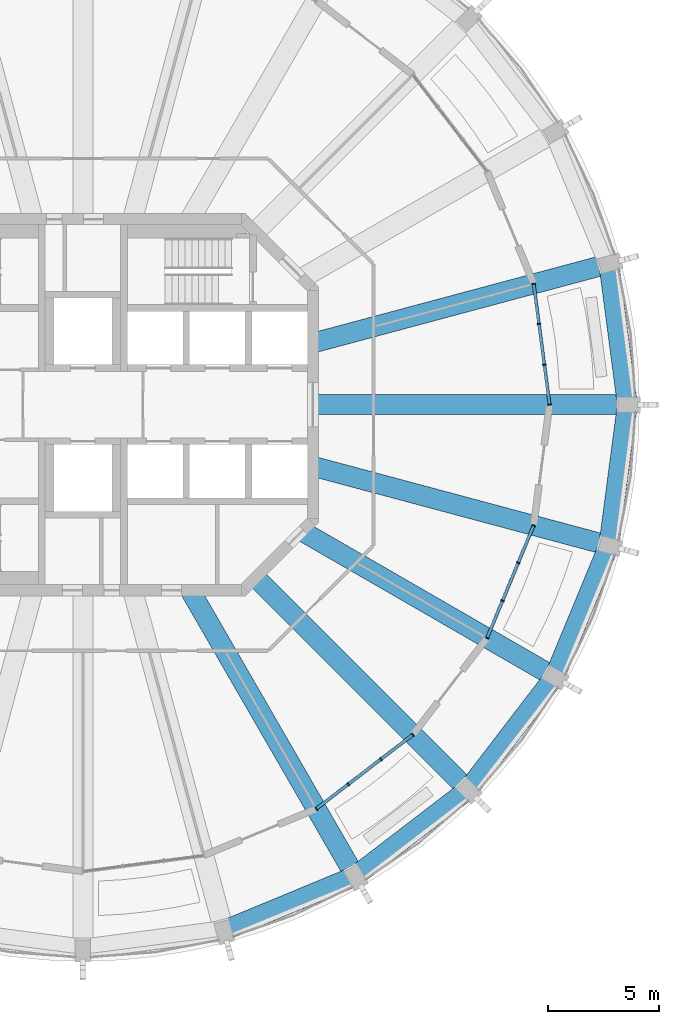
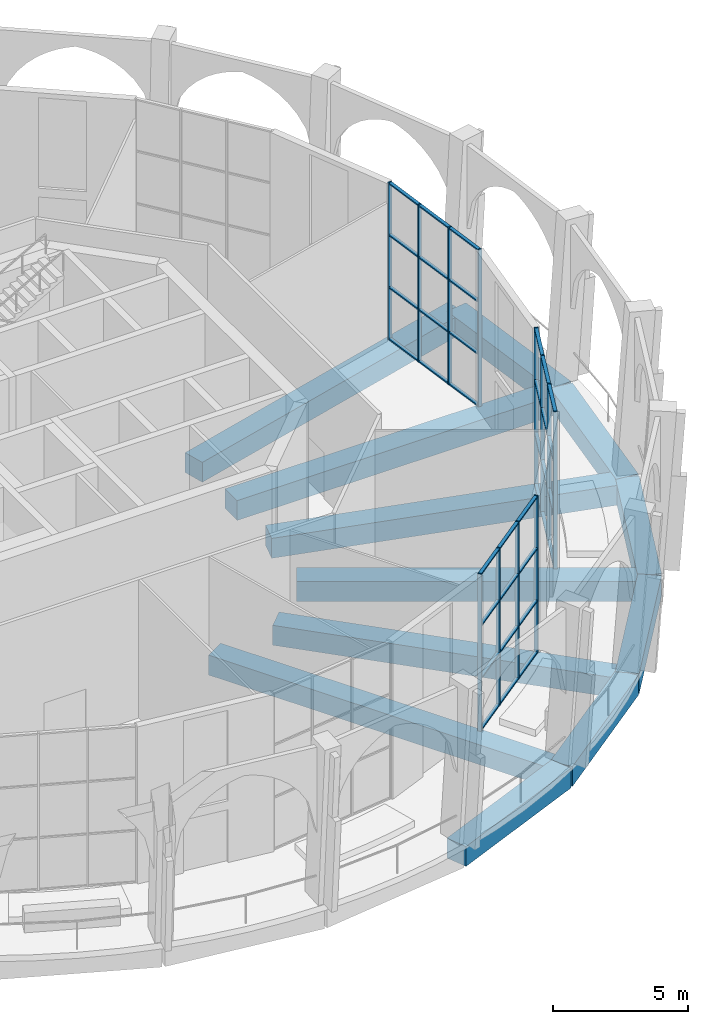
# One storey, part 4 of 17: 48 members, 12 beams, 3 elements without a shape of their own.
"""IFC4 building model written with IfcOpenShell, lengths in metres."""

from ifc_helpers import new_model, si_unit, direction, frame, origin, origin_2d, place, context, subcontext, project, spatial, rectangle, extrude, material, material_profile, profile_set, type_object, element, aggregate, save


model = new_model("IFC4")

# Units and contexts
model_context = context("Model", 3, precision=1e-05, world=origin(), true_north=direction((0.0, 1.0)))
body_context = subcontext(model_context, "Body", "Model", "MODEL_VIEW")
ifc_project = project(units=[si_unit("LENGTHUNIT", "METRE"), si_unit("AREAUNIT", "SQUARE_METRE"), si_unit("VOLUMEUNIT", "CUBIC_METRE"), si_unit("PLANEANGLEUNIT", "RADIAN"), si_unit("MASSUNIT", "GRAM", prefix="KILO")], contexts=[model_context])

# Site, building, storey
site_placement = place(None, origin())
site = spatial("IfcSite", under=ifc_project, at=site_placement, CompositionType="ELEMENT")
building_placement = place(site_placement, origin())
building = spatial("IfcBuilding", under=site, at=building_placement, Name="Torre Triforio", CompositionType="ELEMENT")
storey_placement = place(building_placement, frame((0.0, 0.0, 276.0)))
storey = spatial("IfcBuildingStorey", under=building, at=storey_placement, Name="L64", CompositionType="ELEMENT", Elevation=276.0)

# Curtain wall, members
ifc_material_1 = material(Name="Aluminium mullion and transom frame with clear laminated glass", Category="aluminium")
curtain_wall_type = type_object("IfcCurtainWallType", Name="Sky garden conservatory wall ECW3", PredefinedType="NOTDEFINED", material=ifc_material_1)
curtain_wall_1_placement = place(storey_placement, origin())
curtain_wall_1 = element("IfcCurtainWall", 1, at=curtain_wall_1_placement, inside=storey, type_object=curtain_wall_type, Name="Conservatory wall L64 bay 01", PredefinedType="NOTDEFINED")
ifc_material_2 = material(Name="Anodised aluminium extrusion", Category="aluminium")
ifc_material_profile_1 = material_profile(ifc_material_2, rectangle(XDim=0.159912109375, YDim=0.06005859375, at=origin_2d()), Name="ECW3 MULLION 60x160")
ifc_profile_set_1 = profile_set([ifc_material_profile_1], Name="Anodised aluminium extrusion")
member_type_1 = type_object("IfcMemberType", Name="ECW3 mullion 60 x 160", PredefinedType="MULLION", material=ifc_profile_set_1)
member_1_placement = place(storey_placement, frame((21.0, 0.0, 0.0), z_axis=(0.0, 0.0, 1.0), x_axis=(-0.991444343291, -0.130530127386, 0.0)))
member_1 = element("IfcMember", 2, at=member_1_placement, type_object=member_type_1, Name="ECW3 mullion 1", PredefinedType="MULLION", context=body_context, shape_type="SweptSolid", body=[
    extrude(rectangle(XDim=0.159912109375, YDim=0.06005859375, at=origin_2d()), origin(), (0.0, 0.0, 1.0), 7.1201171875),
])
member_2_placement = place(storey_placement, frame((20.7626953125, 1.8017578125, 0.0), z_axis=(0.0, 0.0, 1.0), x_axis=(-0.991444343291, -0.130530127386, 0.0)))
member_2 = element("IfcMember", 3, at=member_2_placement, type_object=member_type_1, Name="ECW3 mullion 2", PredefinedType="MULLION", context=body_context, shape_type="SweptSolid", body=[
    extrude(rectangle(XDim=0.159912109375, YDim=0.06005859375, at=origin_2d()), origin(), (0.0, 0.0, 1.0), 7.1201171875),
])
member_3_placement = place(storey_placement, frame((20.521728515625, 3.63330078125, 0.0), z_axis=(0.0, 0.0, 1.0), x_axis=(-0.991444343291, -0.130530127386, 0.0)))
member_3 = element("IfcMember", 4, at=member_3_placement, type_object=member_type_1, Name="ECW3 mullion 3", PredefinedType="MULLION", context=body_context, shape_type="SweptSolid", body=[
    extrude(rectangle(XDim=0.159912109375, YDim=0.06005859375, at=origin_2d()), origin(), (0.0, 0.0, 1.0), 7.1201171875),
])
member_4_placement = place(storey_placement, frame((20.284423828125, 5.43505859375, 0.0), z_axis=(0.0, 0.0, 1.0), x_axis=(-0.991444343291, -0.130530127386, 0.0)))
member_4 = element("IfcMember", 5, at=member_4_placement, type_object=member_type_1, Name="ECW3 mullion 4", PredefinedType="MULLION", context=body_context, shape_type="SweptSolid", body=[
    extrude(rectangle(XDim=0.159912109375, YDim=0.06005859375, at=origin_2d()), origin(), (0.0, 0.0, 1.0), 7.1201171875),
])

curtain_wall_2_placement = place(storey_placement, origin())
curtain_wall_2 = element("IfcCurtainWall", 6, at=curtain_wall_2_placement, inside=storey, type_object=curtain_wall_type, Name="Conservatory wall L64 bay 21", PredefinedType="NOTDEFINED")
member_5_placement = place(storey_placement, frame((10.5, -18.1865234375, 0.0), z_axis=(0.0, 0.0, 1.0), x_axis=(-0.608763325538, 0.793351885029, 0.0)))
member_5 = element("IfcMember", 7, at=member_5_placement, type_object=member_type_1, Name="ECW3 mullion 1", PredefinedType="MULLION", context=body_context, shape_type="SweptSolid", body=[
    extrude(rectangle(XDim=0.159912109375, YDim=0.06005859375, at=origin_2d()), origin(), (0.0, 0.0, 1.0), 7.1201171875),
])
member_6_placement = place(storey_placement, frame((11.94189453125, -17.080078125, 0.0), z_axis=(0.0, 0.0, 1.0), x_axis=(-0.608763325538, 0.793351885029, 0.0)))
member_6 = element("IfcMember", 8, at=member_6_placement, type_object=member_type_1, Name="ECW3 mullion 2", PredefinedType="MULLION", context=body_context, shape_type="SweptSolid", body=[
    extrude(rectangle(XDim=0.159912109375, YDim=0.06005859375, at=origin_2d()), origin(), (0.0, 0.0, 1.0), 7.1201171875),
])
member_7_placement = place(storey_placement, frame((13.407470703125, -15.95556640625, 0.0), z_axis=(0.0, 0.0, 1.0), x_axis=(-0.608763325538, 0.793351885029, 0.0)))
member_7 = element("IfcMember", 9, at=member_7_placement, type_object=member_type_1, Name="ECW3 mullion 3", PredefinedType="MULLION", context=body_context, shape_type="SweptSolid", body=[
    extrude(rectangle(XDim=0.159912109375, YDim=0.06005859375, at=origin_2d()), origin(), (0.0, 0.0, 1.0), 7.1201171875),
])
member_8_placement = place(storey_placement, frame((14.84912109375, -14.849365234375, 0.0), z_axis=(0.0, 0.0, 1.0), x_axis=(-0.608763325538, 0.793351885029, 0.0)))
member_8 = element("IfcMember", 10, at=member_8_placement, type_object=member_type_1, Name="ECW3 mullion 4", PredefinedType="MULLION", context=body_context, shape_type="SweptSolid", body=[
    extrude(rectangle(XDim=0.159912109375, YDim=0.06005859375, at=origin_2d()), origin(), (0.0, 0.0, 1.0), 7.1201171875),
])

curtain_wall_3_placement = place(storey_placement, origin())
curtain_wall_3 = element("IfcCurtainWall", 11, at=curtain_wall_3_placement, inside=storey, type_object=curtain_wall_type, Name="Conservatory wall L64 bay 23", PredefinedType="NOTDEFINED")
member_9_placement = place(storey_placement, frame((18.1865234375, -10.5, 0.0), z_axis=(0.0, 0.0, 1.0), x_axis=(-0.923883122974, 0.382674764107, 0.0)))
member_9 = element("IfcMember", 12, at=member_9_placement, type_object=member_type_1, Name="ECW3 mullion 1", PredefinedType="MULLION", context=body_context, shape_type="SweptSolid", body=[
    extrude(rectangle(XDim=0.159912109375, YDim=0.06005859375, at=origin_2d()), origin(), (0.0, 0.0, 1.0), 7.1201171875),
])
member_10_placement = place(storey_placement, frame((18.882080078125, -8.821044921875, 0.0), z_axis=(0.0, 0.0, 1.0), x_axis=(-0.923883122974, 0.382674764107, 0.0)))
member_10 = element("IfcMember", 13, at=member_10_placement, type_object=member_type_1, Name="ECW3 mullion 2", PredefinedType="MULLION", context=body_context, shape_type="SweptSolid", body=[
    extrude(rectangle(XDim=0.159912109375, YDim=0.06005859375, at=origin_2d()), origin(), (0.0, 0.0, 1.0), 7.1201171875),
])
member_11_placement = place(storey_placement, frame((19.5888671875, -7.1142578125, 0.0), z_axis=(0.0, 0.0, 1.0), x_axis=(-0.923883122974, 0.382674764107, 0.0)))
member_11 = element("IfcMember", 14, at=member_11_placement, type_object=member_type_1, Name="ECW3 mullion 3", PredefinedType="MULLION", context=body_context, shape_type="SweptSolid", body=[
    extrude(rectangle(XDim=0.159912109375, YDim=0.06005859375, at=origin_2d()), origin(), (0.0, 0.0, 1.0), 7.1201171875),
])
member_12_placement = place(storey_placement, frame((20.284423828125, -5.435302734375, 0.0), z_axis=(0.0, 0.0, 1.0), x_axis=(-0.923883122974, 0.382674764107, 0.0)))
member_12 = element("IfcMember", 15, at=member_12_placement, type_object=member_type_1, Name="ECW3 mullion 4", PredefinedType="MULLION", context=body_context, shape_type="SweptSolid", body=[
    extrude(rectangle(XDim=0.159912109375, YDim=0.06005859375, at=origin_2d()), origin(), (0.0, 0.0, 1.0), 7.1201171875),
])

# Member
ifc_material_profile_2 = material_profile(ifc_material_2, rectangle(XDim=0.139892578125, YDim=0.06005859375, at=origin_2d()), Name="ECW3 TRANSOM 60x140")
ifc_profile_set_2 = profile_set([ifc_material_profile_2], Name="Anodised aluminium extrusion")
member_type_2 = type_object("IfcMemberType", Name="ECW3 transom 60 x 140", PredefinedType="USERDEFINED", material=ifc_profile_set_2)
member_13_placement = place(storey_placement, frame((20.99609375, 0.02978515625, 0.030029296875), z_axis=(-0.130598268981, 0.991435369623, 0.0), x_axis=(-0.991435369623, -0.130598268981, 0.0)))
member_13 = element("IfcMember", 16, at=member_13_placement, type_object=member_type_2, Name="ECW3 transom 1.1", ObjectType="TRANSOM", PredefinedType="USERDEFINED", context=body_context, shape_type="SweptSolid", body=[
    extrude(rectangle(XDim=0.139892578125, YDim=0.06005859375, at=origin_2d()), origin(), (0.0, 0.0, 1.0), 1.75732421875),
])

member_14_placement = place(storey_placement, frame((20.99609375, 0.02978515625, 2.373291015625), z_axis=(-0.130598268981, 0.991435369623, 0.0), x_axis=(-0.991435369623, -0.130598268981, 0.0)))
member_14 = element("IfcMember", 17, at=member_14_placement, type_object=member_type_2, Name="ECW3 transom 1.2", ObjectType="TRANSOM", PredefinedType="USERDEFINED", context=body_context, shape_type="SweptSolid", body=[
    extrude(rectangle(XDim=0.139892578125, YDim=0.06005859375, at=origin_2d()), origin(), (0.0, 0.0, 1.0), 1.75732421875),
])

member_15_placement = place(storey_placement, frame((20.99609375, 0.02978515625, 4.74658203125), z_axis=(-0.130598268981, 0.991435369623, 0.0), x_axis=(-0.991435369623, -0.130598268981, 0.0)))
member_15 = element("IfcMember", 18, at=member_15_placement, type_object=member_type_2, Name="ECW3 transom 1.3", ObjectType="TRANSOM", PredefinedType="USERDEFINED", context=body_context, shape_type="SweptSolid", body=[
    extrude(rectangle(XDim=0.139892578125, YDim=0.06005859375, at=origin_2d()), origin(), (0.0, 0.0, 1.0), 1.75732421875),
])

member_16_placement = place(storey_placement, frame((20.99609375, 0.02978515625, 7.090087890625), z_axis=(-0.130598268981, 0.991435369623, 0.0), x_axis=(-0.991435369623, -0.130598268981, 0.0)))
member_16 = element("IfcMember", 19, at=member_16_placement, type_object=member_type_2, Name="ECW3 transom 1.4", ObjectType="TRANSOM", PredefinedType="USERDEFINED", context=body_context, shape_type="SweptSolid", body=[
    extrude(rectangle(XDim=0.139892578125, YDim=0.06005859375, at=origin_2d()), origin(), (0.0, 0.0, 1.0), 1.75732421875),
])

member_17_placement = place(storey_placement, frame((20.7587890625, 1.83154296875, 0.030029296875), z_axis=(-0.130454512571, 0.991454295543, 0.0), x_axis=(-0.991454295543, -0.130454512571, 0.0)))
member_17 = element("IfcMember", 20, at=member_17_placement, type_object=member_type_2, Name="ECW3 transom 2.1", ObjectType="TRANSOM", PredefinedType="USERDEFINED", context=body_context, shape_type="SweptSolid", body=[
    extrude(rectangle(XDim=0.139892578125, YDim=0.06005859375, at=origin_2d()), origin(), (0.0, 0.0, 1.0), 1.787353515625),
])

member_18_placement = place(storey_placement, frame((20.7587890625, 1.83154296875, 2.373291015625), z_axis=(-0.130454512571, 0.991454295543, 0.0), x_axis=(-0.991454295543, -0.130454512571, 0.0)))
member_18 = element("IfcMember", 21, at=member_18_placement, type_object=member_type_2, Name="ECW3 transom 2.2", ObjectType="TRANSOM", PredefinedType="USERDEFINED", context=body_context, shape_type="SweptSolid", body=[
    extrude(rectangle(XDim=0.139892578125, YDim=0.06005859375, at=origin_2d()), origin(), (0.0, 0.0, 1.0), 1.787353515625),
])

member_19_placement = place(storey_placement, frame((20.7587890625, 1.83154296875, 4.74658203125), z_axis=(-0.130454512571, 0.991454295543, 0.0), x_axis=(-0.991454295543, -0.130454512571, 0.0)))
member_19 = element("IfcMember", 22, at=member_19_placement, type_object=member_type_2, Name="ECW3 transom 2.3", ObjectType="TRANSOM", PredefinedType="USERDEFINED", context=body_context, shape_type="SweptSolid", body=[
    extrude(rectangle(XDim=0.139892578125, YDim=0.06005859375, at=origin_2d()), origin(), (0.0, 0.0, 1.0), 1.787353515625),
])

member_20_placement = place(storey_placement, frame((20.7587890625, 1.83154296875, 7.090087890625), z_axis=(-0.130454512571, 0.991454295543, 0.0), x_axis=(-0.991454295543, -0.130454512571, 0.0)))
member_20 = element("IfcMember", 23, at=member_20_placement, type_object=member_type_2, Name="ECW3 transom 2.4", ObjectType="TRANSOM", PredefinedType="USERDEFINED", context=body_context, shape_type="SweptSolid", body=[
    extrude(rectangle(XDim=0.139892578125, YDim=0.06005859375, at=origin_2d()), origin(), (0.0, 0.0, 1.0), 1.787353515625),
])

member_21_placement = place(storey_placement, frame((20.517822265625, 3.6630859375, 0.030029296875), z_axis=(-0.130580282255, 0.991437738784, 0.0), x_axis=(-0.991437738784, -0.130580282255, 0.0)))
member_21 = element("IfcMember", 24, at=member_21_placement, type_object=member_type_2, Name="ECW3 transom 3.1", ObjectType="TRANSOM", PredefinedType="USERDEFINED", context=body_context, shape_type="SweptSolid", body=[
    extrude(rectangle(XDim=0.139892578125, YDim=0.06005859375, at=origin_2d()), origin(), (0.0, 0.0, 1.0), 1.757568359375),
])

member_22_placement = place(storey_placement, frame((20.517822265625, 3.6630859375, 2.373291015625), z_axis=(-0.130580282255, 0.991437738784, 0.0), x_axis=(-0.991437738784, -0.130580282255, 0.0)))
member_22 = element("IfcMember", 25, at=member_22_placement, type_object=member_type_2, Name="ECW3 transom 3.2", ObjectType="TRANSOM", PredefinedType="USERDEFINED", context=body_context, shape_type="SweptSolid", body=[
    extrude(rectangle(XDim=0.139892578125, YDim=0.06005859375, at=origin_2d()), origin(), (0.0, 0.0, 1.0), 1.757568359375),
])

member_23_placement = place(storey_placement, frame((20.517822265625, 3.6630859375, 4.74658203125), z_axis=(-0.130580282255, 0.991437738784, 0.0), x_axis=(-0.991437738784, -0.130580282255, 0.0)))
member_23 = element("IfcMember", 26, at=member_23_placement, type_object=member_type_2, Name="ECW3 transom 3.3", ObjectType="TRANSOM", PredefinedType="USERDEFINED", context=body_context, shape_type="SweptSolid", body=[
    extrude(rectangle(XDim=0.139892578125, YDim=0.06005859375, at=origin_2d()), origin(), (0.0, 0.0, 1.0), 1.757568359375),
])

member_24_placement = place(storey_placement, frame((20.517822265625, 3.6630859375, 7.090087890625), z_axis=(-0.130580282255, 0.991437738784, 0.0), x_axis=(-0.991437738784, -0.130580282255, 0.0)))
member_24 = element("IfcMember", 27, at=member_24_placement, type_object=member_type_2, Name="ECW3 transom 3.4", ObjectType="TRANSOM", PredefinedType="USERDEFINED", context=body_context, shape_type="SweptSolid", body=[
    extrude(rectangle(XDim=0.139892578125, YDim=0.06005859375, at=origin_2d()), origin(), (0.0, 0.0, 1.0), 1.757568359375),
])

aggregate(curtain_wall_1, [member_1, member_2, member_3, member_4, member_13, member_14, member_15, member_16, member_17, member_18, member_19, member_20, member_21, member_22, member_23, member_24])

member_25_placement = place(storey_placement, frame((10.523681640625, -18.168212890625, 0.030029296875), z_axis=(0.793367055756, 0.60874355425, 0.0), x_axis=(-0.60874355425, 0.793367055756, 0.0)))
member_25 = element("IfcMember", 28, at=member_25_placement, type_object=member_type_2, Name="ECW3 transom 1.1", ObjectType="TRANSOM", PredefinedType="USERDEFINED", context=body_context, shape_type="SweptSolid", body=[
    extrude(rectangle(XDim=0.139892578125, YDim=0.06005859375, at=origin_2d()), origin(), (0.0, 0.0, 1.0), 1.75732421875),
])

member_26_placement = place(storey_placement, frame((10.523681640625, -18.168212890625, 2.373291015625), z_axis=(0.793367055756, 0.60874355425, 0.0), x_axis=(-0.60874355425, 0.793367055756, 0.0)))
member_26 = element("IfcMember", 29, at=member_26_placement, type_object=member_type_2, Name="ECW3 transom 1.2", ObjectType="TRANSOM", PredefinedType="USERDEFINED", context=body_context, shape_type="SweptSolid", body=[
    extrude(rectangle(XDim=0.139892578125, YDim=0.06005859375, at=origin_2d()), origin(), (0.0, 0.0, 1.0), 1.75732421875),
])

member_27_placement = place(storey_placement, frame((10.523681640625, -18.168212890625, 4.74658203125), z_axis=(0.793367055756, 0.60874355425, 0.0), x_axis=(-0.60874355425, 0.793367055756, 0.0)))
member_27 = element("IfcMember", 30, at=member_27_placement, type_object=member_type_2, Name="ECW3 transom 1.3", ObjectType="TRANSOM", PredefinedType="USERDEFINED", context=body_context, shape_type="SweptSolid", body=[
    extrude(rectangle(XDim=0.139892578125, YDim=0.06005859375, at=origin_2d()), origin(), (0.0, 0.0, 1.0), 1.75732421875),
])

member_28_placement = place(storey_placement, frame((10.523681640625, -18.168212890625, 7.090087890625), z_axis=(0.793367055756, 0.60874355425, 0.0), x_axis=(-0.60874355425, 0.793367055756, 0.0)))
member_28 = element("IfcMember", 31, at=member_28_placement, type_object=member_type_2, Name="ECW3 transom 1.4", ObjectType="TRANSOM", PredefinedType="USERDEFINED", context=body_context, shape_type="SweptSolid", body=[
    extrude(rectangle(XDim=0.139892578125, YDim=0.06005859375, at=origin_2d()), origin(), (0.0, 0.0, 1.0), 1.75732421875),
])

member_29_placement = place(storey_placement, frame((11.965576171875, -17.06201171875, 0.030029296875), z_axis=(0.793329270588, 0.608792795973, 0.0), x_axis=(-0.608792795973, 0.793329270588, 0.0)))
member_29 = element("IfcMember", 32, at=member_29_placement, type_object=member_type_2, Name="ECW3 transom 2.1", ObjectType="TRANSOM", PredefinedType="USERDEFINED", context=body_context, shape_type="SweptSolid", body=[
    extrude(rectangle(XDim=0.139892578125, YDim=0.06005859375, at=origin_2d()), origin(), (0.0, 0.0, 1.0), 1.787353515625),
])

member_30_placement = place(storey_placement, frame((11.965576171875, -17.06201171875, 2.373291015625), z_axis=(0.793329270588, 0.608792795973, 0.0), x_axis=(-0.608792795973, 0.793329270588, 0.0)))
member_30 = element("IfcMember", 33, at=member_30_placement, type_object=member_type_2, Name="ECW3 transom 2.2", ObjectType="TRANSOM", PredefinedType="USERDEFINED", context=body_context, shape_type="SweptSolid", body=[
    extrude(rectangle(XDim=0.139892578125, YDim=0.06005859375, at=origin_2d()), origin(), (0.0, 0.0, 1.0), 1.787353515625),
])

member_31_placement = place(storey_placement, frame((11.965576171875, -17.06201171875, 4.74658203125), z_axis=(0.793329270588, 0.608792795973, 0.0), x_axis=(-0.608792795973, 0.793329270588, 0.0)))
member_31 = element("IfcMember", 34, at=member_31_placement, type_object=member_type_2, Name="ECW3 transom 2.3", ObjectType="TRANSOM", PredefinedType="USERDEFINED", context=body_context, shape_type="SweptSolid", body=[
    extrude(rectangle(XDim=0.139892578125, YDim=0.06005859375, at=origin_2d()), origin(), (0.0, 0.0, 1.0), 1.787353515625),
])

member_32_placement = place(storey_placement, frame((11.965576171875, -17.06201171875, 7.090087890625), z_axis=(0.793329270588, 0.608792795973, 0.0), x_axis=(-0.608792795973, 0.793329270588, 0.0)))
member_32 = element("IfcMember", 35, at=member_32_placement, type_object=member_type_2, Name="ECW3 transom 2.4", ObjectType="TRANSOM", PredefinedType="USERDEFINED", context=body_context, shape_type="SweptSolid", body=[
    extrude(rectangle(XDim=0.139892578125, YDim=0.06005859375, at=origin_2d()), origin(), (0.0, 0.0, 1.0), 1.787353515625),
])

member_33_placement = place(storey_placement, frame((13.43115234375, -15.937255859375, 0.030029296875), z_axis=(0.793367055756, 0.60874355425, 0.0), x_axis=(-0.60874355425, 0.793367055756, 0.0)))
member_33 = element("IfcMember", 36, at=member_33_placement, type_object=member_type_2, Name="ECW3 transom 3.1", ObjectType="TRANSOM", PredefinedType="USERDEFINED", context=body_context, shape_type="SweptSolid", body=[
    extrude(rectangle(XDim=0.139892578125, YDim=0.06005859375, at=origin_2d()), origin(), (0.0, 0.0, 1.0), 1.75732421875),
])

member_34_placement = place(storey_placement, frame((13.43115234375, -15.937255859375, 2.373291015625), z_axis=(0.793367055756, 0.60874355425, 0.0), x_axis=(-0.60874355425, 0.793367055756, 0.0)))
member_34 = element("IfcMember", 37, at=member_34_placement, type_object=member_type_2, Name="ECW3 transom 3.2", ObjectType="TRANSOM", PredefinedType="USERDEFINED", context=body_context, shape_type="SweptSolid", body=[
    extrude(rectangle(XDim=0.139892578125, YDim=0.06005859375, at=origin_2d()), origin(), (0.0, 0.0, 1.0), 1.75732421875),
])

member_35_placement = place(storey_placement, frame((13.43115234375, -15.937255859375, 4.74658203125), z_axis=(0.793367055756, 0.60874355425, 0.0), x_axis=(-0.60874355425, 0.793367055756, 0.0)))
member_35 = element("IfcMember", 38, at=member_35_placement, type_object=member_type_2, Name="ECW3 transom 3.3", ObjectType="TRANSOM", PredefinedType="USERDEFINED", context=body_context, shape_type="SweptSolid", body=[
    extrude(rectangle(XDim=0.139892578125, YDim=0.06005859375, at=origin_2d()), origin(), (0.0, 0.0, 1.0), 1.75732421875),
])

member_36_placement = place(storey_placement, frame((13.43115234375, -15.937255859375, 7.090087890625), z_axis=(0.793367055756, 0.60874355425, 0.0), x_axis=(-0.60874355425, 0.793367055756, 0.0)))
member_36 = element("IfcMember", 39, at=member_36_placement, type_object=member_type_2, Name="ECW3 transom 3.4", ObjectType="TRANSOM", PredefinedType="USERDEFINED", context=body_context, shape_type="SweptSolid", body=[
    extrude(rectangle(XDim=0.139892578125, YDim=0.06005859375, at=origin_2d()), origin(), (0.0, 0.0, 1.0), 1.75732421875),
])

aggregate(curtain_wall_2, [member_5, member_6, member_7, member_8, member_25, member_26, member_27, member_28, member_29, member_30, member_31, member_32, member_33, member_34, member_35, member_36])

member_37_placement = place(storey_placement, frame((18.197998046875, -10.47216796875, 0.030029296875), z_axis=(0.38274032778, 0.923855963606, 0.0), x_axis=(-0.923855963606, 0.38274032778, 0.0)))
member_37 = element("IfcMember", 40, at=member_37_placement, type_object=member_type_2, Name="ECW3 transom 1.1", ObjectType="TRANSOM", PredefinedType="USERDEFINED", context=body_context, shape_type="SweptSolid", body=[
    extrude(rectangle(XDim=0.139892578125, YDim=0.06005859375, at=origin_2d()), origin(), (0.0, 0.0, 1.0), 1.75732421875),
])

member_38_placement = place(storey_placement, frame((18.197998046875, -10.47216796875, 2.373291015625), z_axis=(0.38274032778, 0.923855963606, 0.0), x_axis=(-0.923855963606, 0.38274032778, 0.0)))
member_38 = element("IfcMember", 41, at=member_38_placement, type_object=member_type_2, Name="ECW3 transom 1.2", ObjectType="TRANSOM", PredefinedType="USERDEFINED", context=body_context, shape_type="SweptSolid", body=[
    extrude(rectangle(XDim=0.139892578125, YDim=0.06005859375, at=origin_2d()), origin(), (0.0, 0.0, 1.0), 1.75732421875),
])

member_39_placement = place(storey_placement, frame((18.197998046875, -10.47216796875, 4.74658203125), z_axis=(0.38274032778, 0.923855963606, 0.0), x_axis=(-0.923855963606, 0.38274032778, 0.0)))
member_39 = element("IfcMember", 42, at=member_39_placement, type_object=member_type_2, Name="ECW3 transom 1.3", ObjectType="TRANSOM", PredefinedType="USERDEFINED", context=body_context, shape_type="SweptSolid", body=[
    extrude(rectangle(XDim=0.139892578125, YDim=0.06005859375, at=origin_2d()), origin(), (0.0, 0.0, 1.0), 1.75732421875),
])

member_40_placement = place(storey_placement, frame((18.197998046875, -10.47216796875, 7.090087890625), z_axis=(0.38274032778, 0.923855963606, 0.0), x_axis=(-0.923855963606, 0.38274032778, 0.0)))
member_40 = element("IfcMember", 43, at=member_40_placement, type_object=member_type_2, Name="ECW3 transom 1.4", ObjectType="TRANSOM", PredefinedType="USERDEFINED", context=body_context, shape_type="SweptSolid", body=[
    extrude(rectangle(XDim=0.139892578125, YDim=0.06005859375, at=origin_2d()), origin(), (0.0, 0.0, 1.0), 1.75732421875),
])

member_41_placement = place(storey_placement, frame((18.8935546875, -8.793212890625, 0.030029296875), z_axis=(0.382597092023, 0.923915291126, 0.0), x_axis=(-0.923915291126, 0.382597092023, 0.0)))
member_41 = element("IfcMember", 44, at=member_41_placement, type_object=member_type_2, Name="ECW3 transom 2.1", ObjectType="TRANSOM", PredefinedType="USERDEFINED", context=body_context, shape_type="SweptSolid", body=[
    extrude(rectangle(XDim=0.139892578125, YDim=0.06005859375, at=origin_2d()), origin(), (0.0, 0.0, 1.0), 1.787353515625),
])

member_42_placement = place(storey_placement, frame((18.8935546875, -8.793212890625, 2.373291015625), z_axis=(0.382597092023, 0.923915291126, 0.0), x_axis=(-0.923915291126, 0.382597092023, 0.0)))
member_42 = element("IfcMember", 45, at=member_42_placement, type_object=member_type_2, Name="ECW3 transom 2.2", ObjectType="TRANSOM", PredefinedType="USERDEFINED", context=body_context, shape_type="SweptSolid", body=[
    extrude(rectangle(XDim=0.139892578125, YDim=0.06005859375, at=origin_2d()), origin(), (0.0, 0.0, 1.0), 1.787353515625),
])

member_43_placement = place(storey_placement, frame((18.8935546875, -8.793212890625, 4.74658203125), z_axis=(0.382597092023, 0.923915291126, 0.0), x_axis=(-0.923915291126, 0.382597092023, 0.0)))
member_43 = element("IfcMember", 46, at=member_43_placement, type_object=member_type_2, Name="ECW3 transom 2.3", ObjectType="TRANSOM", PredefinedType="USERDEFINED", context=body_context, shape_type="SweptSolid", body=[
    extrude(rectangle(XDim=0.139892578125, YDim=0.06005859375, at=origin_2d()), origin(), (0.0, 0.0, 1.0), 1.787353515625),
])

member_44_placement = place(storey_placement, frame((18.8935546875, -8.793212890625, 7.090087890625), z_axis=(0.382597092023, 0.923915291126, 0.0), x_axis=(-0.923915291126, 0.382597092023, 0.0)))
member_44 = element("IfcMember", 47, at=member_44_placement, type_object=member_type_2, Name="ECW3 transom 2.4", ObjectType="TRANSOM", PredefinedType="USERDEFINED", context=body_context, shape_type="SweptSolid", body=[
    extrude(rectangle(XDim=0.139892578125, YDim=0.06005859375, at=origin_2d()), origin(), (0.0, 0.0, 1.0), 1.787353515625),
])

member_45_placement = place(storey_placement, frame((19.600341796875, -7.08642578125, 0.030029296875), z_axis=(0.38274032778, 0.923855963606, 0.0), x_axis=(-0.923855963606, 0.38274032778, 0.0)))
member_45 = element("IfcMember", 48, at=member_45_placement, type_object=member_type_2, Name="ECW3 transom 3.1", ObjectType="TRANSOM", PredefinedType="USERDEFINED", context=body_context, shape_type="SweptSolid", body=[
    extrude(rectangle(XDim=0.139892578125, YDim=0.06005859375, at=origin_2d()), origin(), (0.0, 0.0, 1.0), 1.75732421875),
])

member_46_placement = place(storey_placement, frame((19.600341796875, -7.08642578125, 2.373291015625), z_axis=(0.38274032778, 0.923855963606, 0.0), x_axis=(-0.923855963606, 0.38274032778, 0.0)))
member_46 = element("IfcMember", 49, at=member_46_placement, type_object=member_type_2, Name="ECW3 transom 3.2", ObjectType="TRANSOM", PredefinedType="USERDEFINED", context=body_context, shape_type="SweptSolid", body=[
    extrude(rectangle(XDim=0.139892578125, YDim=0.06005859375, at=origin_2d()), origin(), (0.0, 0.0, 1.0), 1.75732421875),
])

member_47_placement = place(storey_placement, frame((19.600341796875, -7.08642578125, 4.74658203125), z_axis=(0.38274032778, 0.923855963606, 0.0), x_axis=(-0.923855963606, 0.38274032778, 0.0)))
member_47 = element("IfcMember", 50, at=member_47_placement, type_object=member_type_2, Name="ECW3 transom 3.3", ObjectType="TRANSOM", PredefinedType="USERDEFINED", context=body_context, shape_type="SweptSolid", body=[
    extrude(rectangle(XDim=0.139892578125, YDim=0.06005859375, at=origin_2d()), origin(), (0.0, 0.0, 1.0), 1.75732421875),
])

member_48_placement = place(storey_placement, frame((19.600341796875, -7.08642578125, 7.090087890625), z_axis=(0.38274032778, 0.923855963606, 0.0), x_axis=(-0.923855963606, 0.38274032778, 0.0)))
member_48 = element("IfcMember", 51, at=member_48_placement, type_object=member_type_2, Name="ECW3 transom 3.4", ObjectType="TRANSOM", PredefinedType="USERDEFINED", context=body_context, shape_type="SweptSolid", body=[
    extrude(rectangle(XDim=0.139892578125, YDim=0.06005859375, at=origin_2d()), origin(), (0.0, 0.0, 1.0), 1.75732421875),
])

aggregate(curtain_wall_3, [member_9, member_10, member_11, member_12, member_37, member_38, member_39, member_40, member_41, member_42, member_43, member_44, member_45, member_46, member_47, member_48])

# Beams
ifc_material_3 = material(Name="Concrete C40", Category="concrete")
ifc_material_profile_3 = material_profile(ifc_material_3, rectangle(XDim=0.89990234375, YDim=0.89990234375, at=origin_2d()), Name="RC 900x900")
ifc_profile_set_3 = profile_set([ifc_material_profile_3], Name="Concrete C40")
beam_type_1 = type_object("IfcBeamType", Name="Radial beam RC 900x900 C40", PredefinedType="BEAM", material=ifc_profile_set_3)
beam_1_placement = place(storey_placement, frame((10.35009765625, 0.0, -0.72998046875), z_axis=(1.0, 0.0, 0.0), x_axis=(0.0, 1.0, 0.0)))
element("IfcBeam", 52, at=beam_1_placement, inside=storey, type_object=beam_type_1, Name="BM.R.L64.00", PredefinedType="BEAM", context=body_context, shape_type="SweptSolid", body=[
    extrude(rectangle(XDim=0.89990234375, YDim=0.89990234375, at=origin_2d()), origin(), (0.0, 0.0, 1.0), 14.14990234375),
])
beam_2_placement = place(storey_placement, frame((10.35009765625, 2.773193359375, -0.72998046875), z_axis=(0.965924413872, 0.258824316257, 0.0), x_axis=(-0.258824316257, 0.965924413872, 0.0)))
element("IfcBeam", 53, at=beam_2_placement, inside=storey, type_object=beam_type_1, Name="BM.R.L64.01", PredefinedType="BEAM", context=body_context, shape_type="SweptSolid", body=[
    extrude(rectangle(XDim=0.89990234375, YDim=0.89990234375, at=origin_2d()), origin(), (0.0, 0.0, 1.0), 13.784912109375),
])
beam_3_placement = place(storey_placement, frame((4.82080078125, -8.35009765625, -0.72998046875), z_axis=(0.50000929273, -0.866020038558, 0.0), x_axis=(0.866020038558, 0.50000929273, 0.0)))
element("IfcBeam", 54, at=beam_3_placement, inside=storey, type_object=beam_type_1, Name="BM.R.L64.20", PredefinedType="BEAM", context=body_context, shape_type="SweptSolid", body=[
    extrude(rectangle(XDim=0.89990234375, YDim=0.89990234375, at=origin_2d()), origin(), (0.0, 0.0, 1.0), 14.858154296875),
])
beam_4_placement = place(storey_placement, frame((7.77685546875, -7.77685546875, -0.72998046875), z_axis=(0.707106781187, -0.707106781187, 0.0), x_axis=(0.707106781187, 0.707106781187, 0.0)))
element("IfcBeam", 55, at=beam_4_placement, inside=storey, type_object=beam_type_1, Name="BM.R.L64.21", PredefinedType="BEAM", context=body_context, shape_type="SweptSolid", body=[
    extrude(rectangle(XDim=0.89990234375, YDim=0.89990234375, at=origin_2d()), origin(), (0.0, 0.0, 1.0), 13.501953125),
])
beam_5_placement = place(storey_placement, frame((9.860595703125, -5.693115234375, -0.72998046875), z_axis=(0.866026853401, -0.499997489182, 0.0), x_axis=(0.499997489182, 0.866026853401, 0.0)))
element("IfcBeam", 56, at=beam_5_placement, inside=storey, type_object=beam_type_1, Name="BM.R.L64.22", PredefinedType="BEAM", context=body_context, shape_type="SweptSolid", body=[
    extrude(rectangle(XDim=0.89990234375, YDim=0.89990234375, at=origin_2d()), origin(), (0.0, 0.0, 1.0), 13.11376953125),
])
beam_6_placement = place(storey_placement, frame((10.35009765625, -2.773193359375, -0.72998046875), z_axis=(0.965924413872, -0.258824316257, 0.0), x_axis=(0.258824316257, 0.965924413872, 0.0)))
element("IfcBeam", 57, at=beam_6_placement, inside=storey, type_object=beam_type_1, Name="BM.R.L64.23", PredefinedType="BEAM", context=body_context, shape_type="SweptSolid", body=[
    extrude(rectangle(XDim=0.89990234375, YDim=0.89990234375, at=origin_2d()), origin(), (0.0, 0.0, 1.0), 13.784912109375),
])
ifc_material_profile_4 = material_profile(ifc_material_3, rectangle(XDim=0.89990234375, YDim=0.89990234375, at=origin_2d()), Name="RC 900x900")
ifc_profile_set_4 = profile_set([ifc_material_profile_4], Name="Concrete C40")
beam_type_2 = type_object("IfcBeamType", Name="Spandrel beam RC 900x900 C40", PredefinedType="SPANDREL", material=ifc_profile_set_4)
for number, where, z_axis, x_axis, name in (
    (58, (24.5, 0.0, -0.72998046875), (-0.130510796237, 0.991446888172, 0.0), (-0.991446888172, -0.130510796237, 0.0), "BM.S.L64.00"),
    (59, (6.341064453125, -23.665283203125, -0.72998046875), (0.923868882006, 0.382709143949, 0.0), (-0.382709143949, 0.923868882006, 0.0), "BM.S.L64.19"),
    (60, (12.25, -21.217529296875, -0.72998046875), (0.79337406388, 0.60873442055, 0.0), (-0.60873442055, 0.79337406388, 0.0), "BM.S.L64.20"),
    (61, (17.32421875, -17.32421875, -0.72998046875), (0.60873442055, 0.79337406388, 0.0), (-0.79337406388, 0.60873442055, 0.0), "BM.S.L64.21"),
    (62, (21.217529296875, -12.25, -0.72998046875), (0.382709143949, 0.923868882006, 0.0), (-0.923868882006, 0.382709143949, 0.0), "BM.S.L64.22"),
    (63, (23.665283203125, -6.341064453125, -0.72998046875), (0.130510796237, 0.991446888172, 0.0), (-0.991446888172, 0.130510796237, 0.0), "BM.S.L64.23"),
):
    element("IfcBeam", number, at=place(storey_placement, frame(where, z_axis=z_axis, x_axis=x_axis)), inside=storey, type_object=beam_type_2, Name=name, PredefinedType="SPANDREL", context=body_context, shape_type="SweptSolid", body=[
        extrude(rectangle(XDim=0.89990234375, YDim=0.89990234375, at=origin_2d()), origin(), (0.0, 0.0, 1.0), 6.395751953125),
    ])

save(model, "model.ifc")
